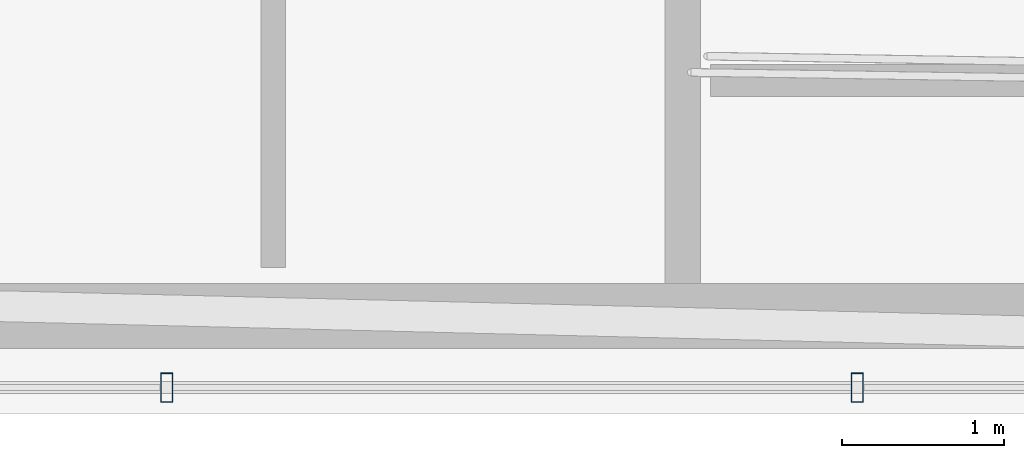
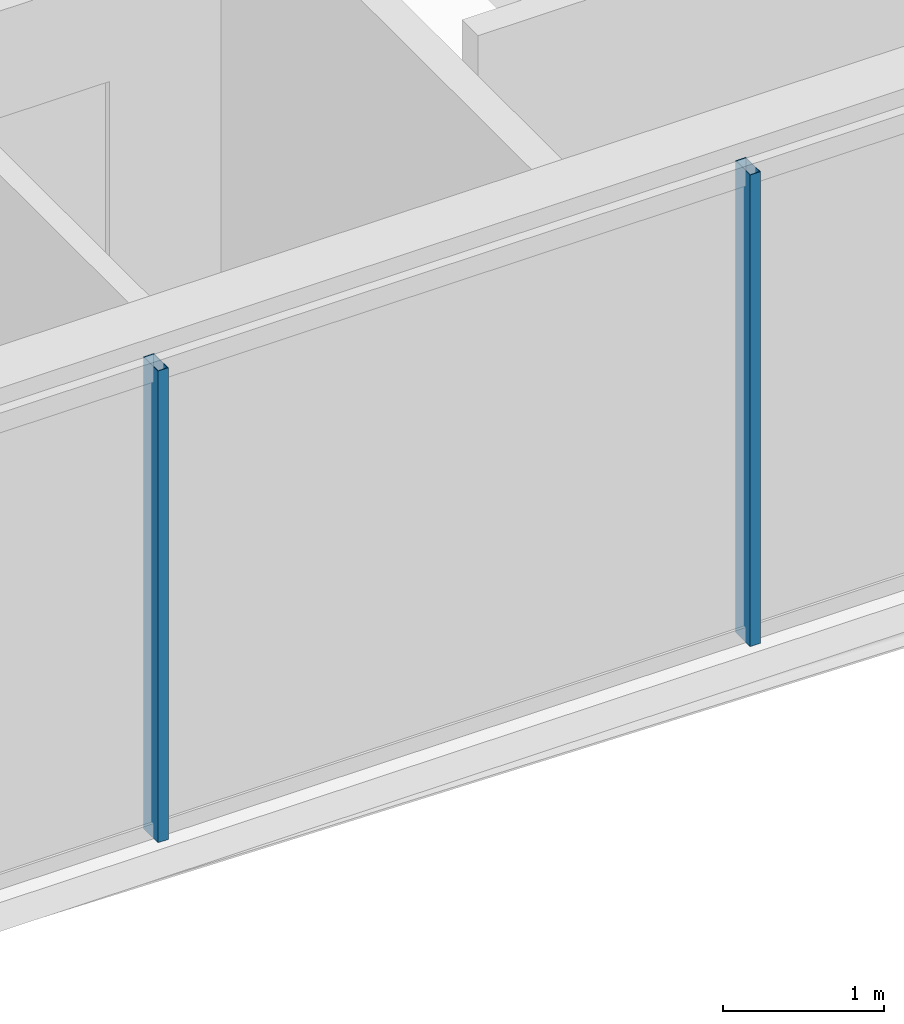
# One storey, part 6 of 34: 2 members, 1 element without a shape of its own.
"""IFC4 building model written with IfcOpenShell, lengths in metres."""

from ifc_helpers import new_model, si_unit, direction, frame, origin, origin_2d, place, context, subcontext, project, spatial, hollow_rectangle, extrude, material, layer, layer_set, material_profile, profile_set, type_object, element, aggregate, save


model = new_model("IFC4")

# Units and contexts
model_context = context("Model", 3, precision=1e-05, world=origin(), true_north=direction((0.0, 1.0)))
body_context = subcontext(model_context, "Body", "Model", "MODEL_VIEW")
ifc_project = project(units=[si_unit("LENGTHUNIT", "METRE"), si_unit("AREAUNIT", "SQUARE_METRE"), si_unit("VOLUMEUNIT", "CUBIC_METRE"), si_unit("PLANEANGLEUNIT", "RADIAN"), si_unit("MASSUNIT", "GRAM", prefix="KILO")], contexts=[model_context])

# Site, building, storey
site_placement = place(None, origin())
site = spatial("IfcSite", under=ifc_project, at=site_placement, CompositionType="ELEMENT")
building_placement = place(site_placement, origin())
building = spatial("IfcBuilding", under=site, at=building_placement, Name="Ndaravel Arena Tower", CompositionType="ELEMENT")
storey_placement = place(building_placement, frame((0.0, 0.0, 195.39990234375)))
storey = spatial("IfcBuildingStorey", under=building, at=storey_placement, Name="L47", CompositionType="ELEMENT", Elevation=195.39990234375)

# Curtain wall, members
ifc_material_1 = material(Name="Aluminium", Category="aluminium")
ifc_layer = layer(ifc_material_1, 0.179931640625)
ifc_layer_set = layer_set([ifc_layer], Name="Aluminium")
curtain_wall_type = type_object("IfcCurtainWallType", Name="CW-SYS-03", PredefinedType="NOTDEFINED", material=ifc_layer_set)
curtain_wall_placement = place(storey_placement, origin())
curtain_wall = element("IfcCurtainWall", 1, at=curtain_wall_placement, inside=storey, type_object=curtain_wall_type, Name="L47 Faceted Crystal Curtain Wall CW-L47-E01", PredefinedType="NOTDEFINED")
ifc_material_2 = material(Name="Aluminium", Category="aluminium")
ifc_material_profile = material_profile(ifc_material_2, hollow_rectangle(XDim=0.074951171875, YDim=0.179931640625, WallThickness=0.00390625, at=origin_2d()), Name="CW MULLION 75x180x4")
ifc_profile_set = profile_set([ifc_material_profile], Name="Aluminium")
member_type = type_object("IfcMemberType", Name="MEM-CW-MUL180", PredefinedType="MULLION", material=ifc_profile_set)
member_1_placement = place(storey_placement, frame((35.623779296875, 5.159912109375, 0.0), z_axis=(0.0, 0.0, 1.0), x_axis=(1.0, 0.0, 0.0)))
member_1 = element("IfcMember", 2, at=member_1_placement, type_object=member_type, Name="CW-L47-E01 Mullion 03", PredefinedType="MULLION", context=body_context, shape_type="SweptSolid", body=[
    extrude(hollow_rectangle(XDim=0.074951171875, YDim=0.179931640625, WallThickness=0.00390625, at=origin_2d()), origin(), (0.0, 0.0, 1.0), 3.580078125),
])
member_2_placement = place(storey_placement, frame((39.87451171875, 5.159912109375, 0.0), z_axis=(0.0, 0.0, 1.0), x_axis=(1.0, 0.0, 0.0)))
member_2 = element("IfcMember", 3, at=member_2_placement, type_object=member_type, Name="CW-L47-E01 Mullion 04", PredefinedType="MULLION", context=body_context, shape_type="SweptSolid", body=[
    extrude(hollow_rectangle(XDim=0.074951171875, YDim=0.179931640625, WallThickness=0.00390625, at=origin_2d()), origin(), (0.0, 0.0, 1.0), 3.580078125),
])
aggregate(curtain_wall, [member_1, member_2])

save(model, "model.ifc")
